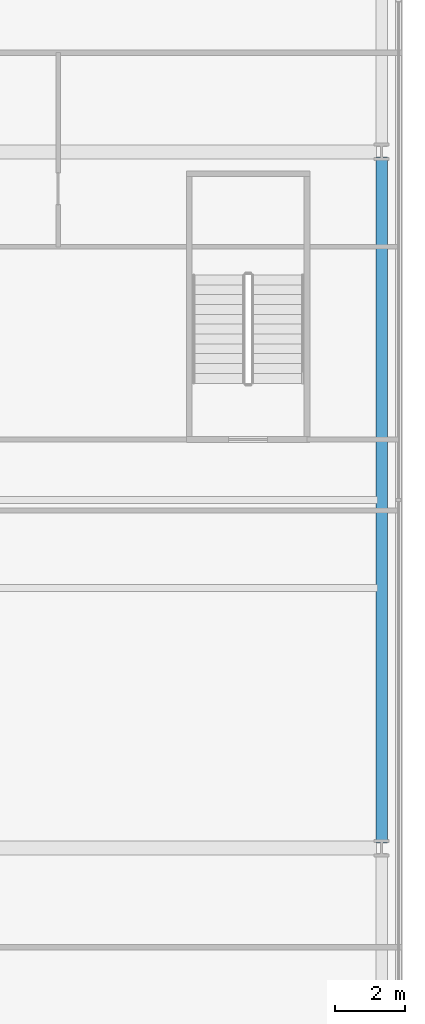
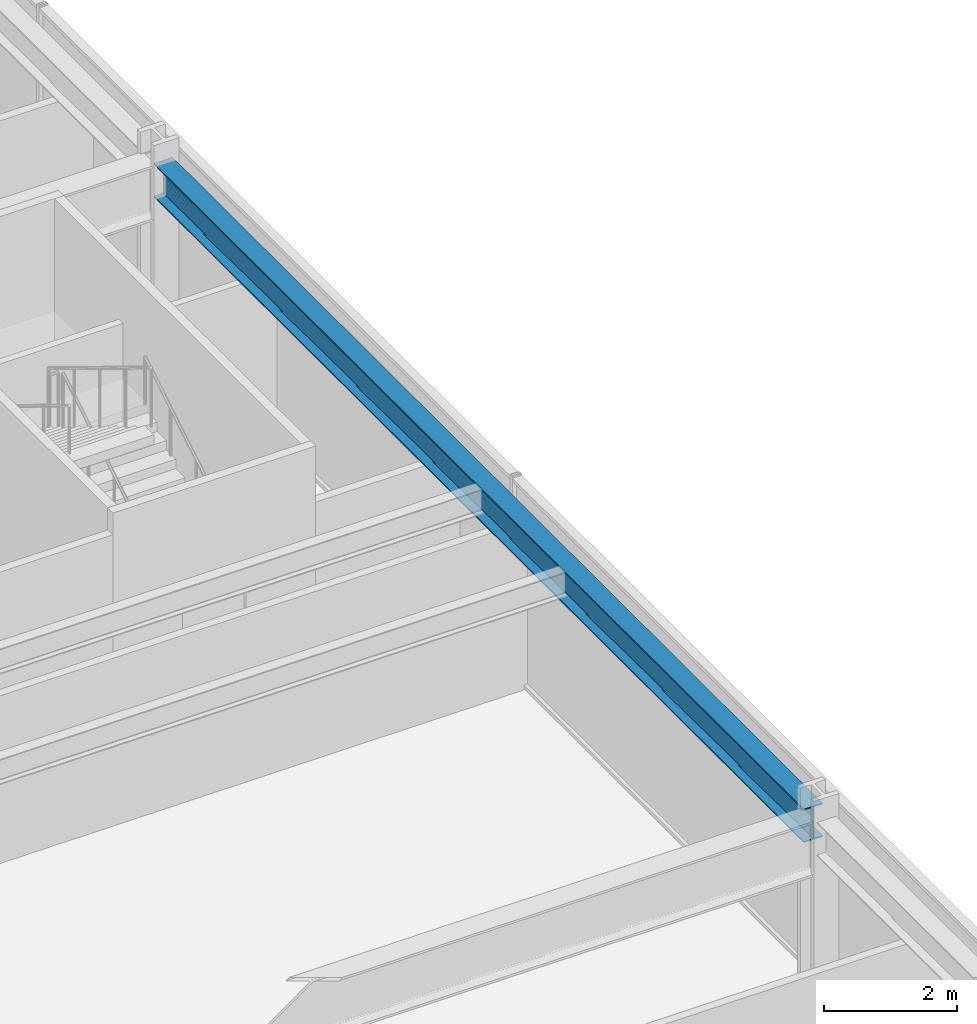
# One storey, part 18 of 39: 1 beam.
"""IFC4 building model written with IfcOpenShell, lengths in metres."""

from ifc_helpers import new_model, si_unit, direction, frame, origin, origin_2d, place, context, subcontext, project, spatial, i_section, extrude, material, material_profile, profile_set, type_object, element, save


model = new_model("IFC4")

# Units and contexts
model_context = context("Model", 3, precision=1e-05, world=origin(), true_north=direction((0.0, 1.0)))
body_context = subcontext(model_context, "Body", "Model", "MODEL_VIEW")
ifc_project = project(units=[si_unit("LENGTHUNIT", "METRE"), si_unit("AREAUNIT", "SQUARE_METRE"), si_unit("VOLUMEUNIT", "CUBIC_METRE"), si_unit("PLANEANGLEUNIT", "RADIAN"), si_unit("MASSUNIT", "GRAM", prefix="KILO")], contexts=[model_context])

# Site, building, storey
site_placement = place(None, origin())
site = spatial("IfcSite", under=ifc_project, at=site_placement, CompositionType="ELEMENT")
building_placement = place(site_placement, origin())
building = spatial("IfcBuilding", under=site, at=building_placement, Name="Kolvaren Belvedere", CompositionType="ELEMENT")
storey_placement = place(building_placement, frame((0.0, 0.0, 15.199951171875)))
storey = spatial("IfcBuildingStorey", under=building, at=storey_placement, Name="L04", CompositionType="ELEMENT", Elevation=15.199951171875)

# Beam
ifc_material = material(Name="Structural steel ASTM A992 Grade 50", Category="steel")
ifc_material_profile = material_profile(ifc_material, i_section(OverallWidth=0.324951171875, OverallDepth=0.615966796875, WebThickness=0.013916015625, FlangeThickness=0.021484375, FilletRadius=0.02001953125, at=origin_2d()), Name="W24X117")
ifc_profile_set = profile_set([ifc_material_profile], Name="Structural steel ASTM A992 Grade 50")
beam_type = type_object("IfcBeamType", Name="BM-SPAN-W24X117", PredefinedType="SPANDREL", material=ifc_profile_set)
beam_placement = place(storey_placement, frame((27.39990234375, -9.75, 3.39208984375), z_axis=(0.0, 1.0, 0.0), x_axis=(-1.0, 0.0, 0.0)))
element("IfcBeam", 1, at=beam_placement, inside=storey, type_object=beam_type, Name="L04 E Podium Spandrel 2", PredefinedType="SPANDREL", context=body_context, shape_type="SweptSolid", body=[
    extrude(i_section(OverallWidth=0.324951171875, OverallDepth=0.615966796875, WebThickness=0.013916015625, FlangeThickness=0.021484375, FilletRadius=0.02001953125, at=origin_2d()), origin(), (0.0, 0.0, 1.0), 19.5),
])

save(model, "model.ifc")
